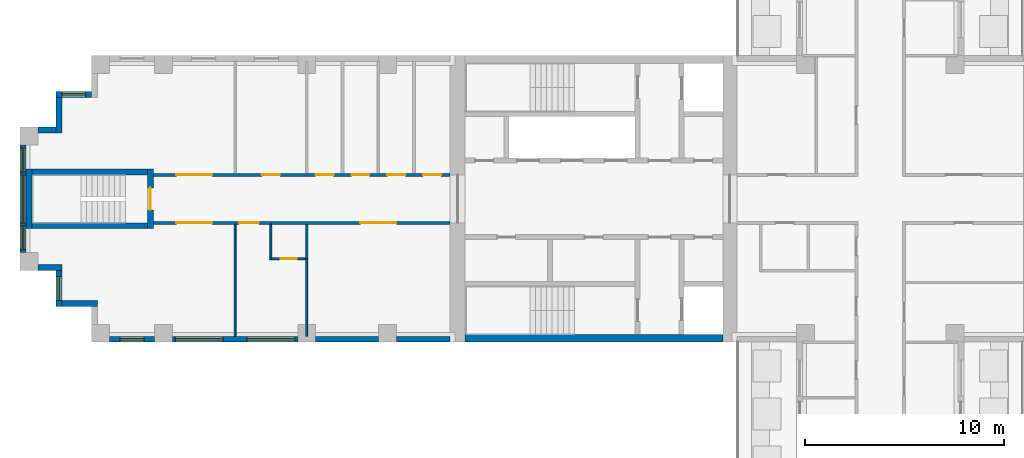
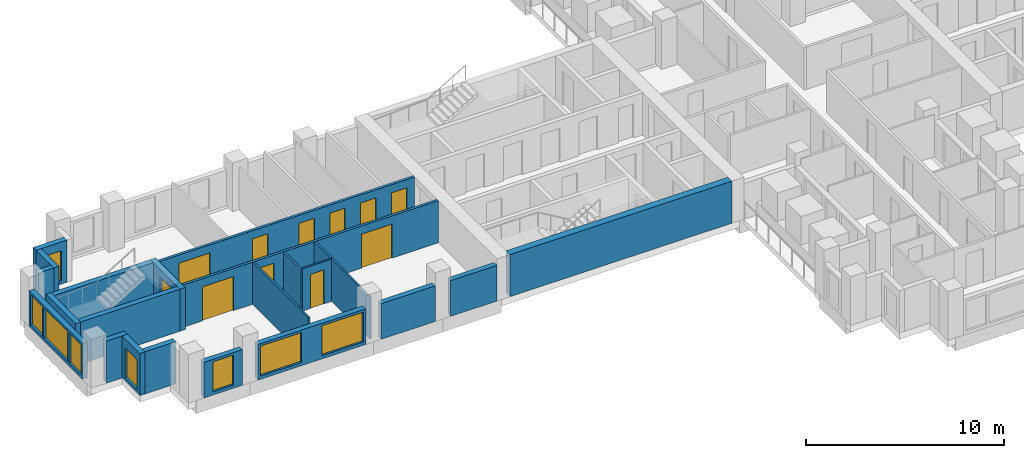
# One storey, part 2 of 11: 23 walls, 11 doors, 8 windows, 19 openings.
"""IFC4 building model written with IfcOpenShell, lengths in metres."""

from ifc_helpers import new_model, si_unit, direction, frame, frame_2d, origin, place, context, subcontext, project, spatial, rectangle, extrude, material, layer, layer_set, type_object, element, fill, save


model = new_model("IFC4")

# Units and contexts
model_context = context("Model", 3, precision=1e-05, world=origin(), true_north=direction((0.0, 1.0)))
body_context = subcontext(model_context, "Body", "Model", "MODEL_VIEW")
ifc_project = project(units=[si_unit("LENGTHUNIT", "METRE"), si_unit("AREAUNIT", "SQUARE_METRE"), si_unit("VOLUMEUNIT", "CUBIC_METRE"), si_unit("PLANEANGLEUNIT", "RADIAN"), si_unit("MASSUNIT", "GRAM", prefix="KILO")], contexts=[model_context])

# Site, building, storey
site_placement = place(None, origin())
site = spatial("IfcSite", under=ifc_project, at=site_placement, CompositionType="ELEMENT")
building_placement = place(site_placement, origin())
building = spatial("IfcBuilding", under=site, at=building_placement, Name="Fustian Cross Tower", CompositionType="ELEMENT")
storey_placement = place(building_placement, frame((0.0, 0.0, 176.699951171875)))
storey = spatial("IfcBuildingStorey", under=building, at=storey_placement, Name="L55", CompositionType="ELEMENT", Elevation=176.699951171875)

# Wall, openings, doors
ifc_material_1 = material(Name="Plasterboard on steel stud", Category="steel")
ifc_layer_1 = layer(ifc_material_1, 0.14990234375)
ifc_layer_set_1 = layer_set([ifc_layer_1], Name="Plasterboard on steel stud")
wall_type_1 = type_object("IfcWallType", Name="COMPARTMENT WALL 150 EI 60", PredefinedType="PARTITIONING", material=ifc_layer_set_1)
wall_1_placement = place(storey_placement, frame((-36.5, -1.199951171875, 0.0), z_axis=(0.0, 0.0, 1.0), x_axis=(1.0, 0.0, 0.0)))
wall_1 = element("IfcWall", 1, at=wall_1_placement, inside=storey, type_object=wall_type_1, Name="Partition 1", PredefinedType="PARTITIONING", context=body_context, shape_type="SweptSolid", body=[
    extrude(rectangle(XDim=14.89990234375, YDim=0.14990234375, at=frame_2d((7.449951171875, 0.0))), origin(), (0.0, 0.0, 1.0), 2.60009765625),
])
opening_1_placement = place(wall_1_placement, frame((10.39990234375, 0.0, 0.0)))
opening_1 = element("IfcOpeningElement", 2, at=opening_1_placement, cuts=wall_1, Name="Opening D25021", PredefinedType="OPENING", context=body_context, shape_type="SweptSolid", body=[
    extrude(rectangle(XDim=1.800048828125, YDim=2.10009765625, at=frame_2d((0.89990234375, 1.050048828125))), frame((0.0, 0.0849609375, 0.0), z_axis=(0.0, -1.0, 0.0), x_axis=(1.0, 0.0, 0.0)), (0.0, 0.0, 1.0), 0.169921875),
])
opening_2_placement = place(wall_1_placement, frame((4.300048828125, 0.0, 0.0)))
opening_2 = element("IfcOpeningElement", 3, at=opening_2_placement, cuts=wall_1, Name="Opening D25023", PredefinedType="OPENING", context=body_context, shape_type="SweptSolid", body=[
    extrude(rectangle(XDim=1.0, YDim=2.10009765625, at=frame_2d((0.5, 1.050048828125))), frame((0.0, 0.0849609375, 0.0), z_axis=(0.0, -1.0, 0.0), x_axis=(1.0, 0.0, 0.0)), (0.0, 0.0, 1.0), 0.169921875),
])
opening_3_placement = place(wall_1_placement, frame((1.14990234375, 0.0, 0.0)))
opening_3 = element("IfcOpeningElement", 4, at=opening_3_placement, cuts=wall_1, Name="Opening D25024", PredefinedType="OPENING", context=body_context, shape_type="SweptSolid", body=[
    extrude(rectangle(XDim=1.800048828125, YDim=2.10009765625, at=frame_2d((0.89990234375, 1.050048828125))), frame((0.0, 0.0849609375, 0.0), z_axis=(0.0, -1.0, 0.0), x_axis=(1.0, 0.0, 0.0)), (0.0, 0.0, 1.0), 0.169921875),
])
ifc_material_2 = material(Name="Timber fire door set", Category="wood")
door_type_1 = type_object("IfcDoorType", Name="FIRE DOUBLE DOOR 1800 FD30S", OperationType="DOUBLE_DOOR_DOUBLE_SWING", PredefinedType="DOOR", material=ifc_material_2)
door_1_placement = place(opening_1_placement, origin())
door_1 = element("IfcDoor", 5, at=door_1_placement, inside=storey, type_object=door_type_1, Name="Door D25021", OperationType="DOUBLE_DOOR_DOUBLE_SWING", OverallHeight=2.10009765625, OverallWidth=1.800048828125, PredefinedType="DOOR", context=body_context, shape_type="SweptSolid", body=[
    extrude(rectangle(XDim=1.800048828125, YDim=2.10009765625, at=frame_2d((0.89990234375, 1.050048828125))), frame((0.0, 0.02490234375, 0.0), z_axis=(0.0, -1.0, 0.0), x_axis=(1.0, 0.0, 0.0)), (0.0, 0.0, 1.0), 0.050048828125),
])
fill(opening_1, door_1)
door_2_placement = place(opening_3_placement, origin())
door_2 = element("IfcDoor", 6, at=door_2_placement, inside=storey, type_object=door_type_1, Name="Door D25024", OperationType="DOUBLE_DOOR_DOUBLE_SWING", OverallHeight=2.10009765625, OverallWidth=1.800048828125, PredefinedType="DOOR", context=body_context, shape_type="SweptSolid", body=[
    extrude(rectangle(XDim=1.800048828125, YDim=2.10009765625, at=frame_2d((0.89990234375, 1.050048828125))), frame((0.0, 0.02490234375, 0.0), z_axis=(0.0, -1.0, 0.0), x_axis=(1.0, 0.0, 0.0)), (0.0, 0.0, 1.0), 0.050048828125),
])
fill(opening_3, door_2)
ifc_material_3 = material(Name="Timber fire door set", Category="wood")
door_type_2 = type_object("IfcDoorType", Name="FIRE SWING DOOR 1000 FD30S", OperationType="SINGLE_SWING_LEFT", PredefinedType="DOOR", material=ifc_material_3)
door_3_placement = place(opening_2_placement, frame((1.0, 0.0, 0.0), z_axis=(0.0, 0.0, 1.0), x_axis=(-1.0, 0.0, 0.0)))
door_3 = element("IfcDoor", 7, at=door_3_placement, inside=storey, type_object=door_type_2, Name="Door D25023", OperationType="SINGLE_SWING_RIGHT", OverallHeight=2.10009765625, OverallWidth=1.0, PredefinedType="DOOR", context=body_context, shape_type="SweptSolid", body=[
    extrude(rectangle(XDim=1.0, YDim=2.10009765625, at=frame_2d((0.5, 1.050048828125))), frame((0.0, 0.02490234375, 0.0), z_axis=(0.0, -1.0, 0.0), x_axis=(1.0, 0.0, 0.0)), (0.0, 0.0, 1.0), 0.050048828125),
])
fill(opening_2, door_3)

wall_2_placement = place(storey_placement, frame((-36.5, 1.199951171875, 0.0), z_axis=(0.0, 0.0, 1.0), x_axis=(1.0, 0.0, 0.0)))
wall_2 = element("IfcWall", 8, at=wall_2_placement, inside=storey, type_object=wall_type_1, Name="Partition 2", PredefinedType="PARTITIONING", context=body_context, shape_type="SweptSolid", body=[
    extrude(rectangle(XDim=14.89990234375, YDim=0.14990234375, at=frame_2d((7.449951171875, 0.0))), origin(), (0.0, 0.0, 1.0), 2.60009765625),
])
opening_4_placement = place(wall_2_placement, frame((13.550048828125, 0.0, 0.0)))
opening_4 = element("IfcOpeningElement", 9, at=opening_4_placement, cuts=wall_2, Name="Opening D25025", PredefinedType="OPENING", context=body_context, shape_type="SweptSolid", body=[
    extrude(rectangle(XDim=0.89990234375, YDim=2.10009765625, at=frame_2d((0.449951171875, 1.050048828125))), frame((0.0, 0.0849609375, 0.0), z_axis=(0.0, -1.0, 0.0), x_axis=(1.0, 0.0, 0.0)), (0.0, 0.0, 1.0), 0.169921875),
])
opening_5_placement = place(wall_2_placement, frame((11.75, 0.0, 0.0)))
opening_5 = element("IfcOpeningElement", 10, at=opening_5_placement, cuts=wall_2, Name="Opening D25026", PredefinedType="OPENING", context=body_context, shape_type="SweptSolid", body=[
    extrude(rectangle(XDim=0.89990234375, YDim=2.10009765625, at=frame_2d((0.449951171875, 1.050048828125))), frame((0.0, 0.0849609375, 0.0), z_axis=(0.0, -1.0, 0.0), x_axis=(1.0, 0.0, 0.0)), (0.0, 0.0, 1.0), 0.169921875),
])
opening_6_placement = place(wall_2_placement, frame((9.949951171875, 0.0, 0.0)))
opening_6 = element("IfcOpeningElement", 11, at=opening_6_placement, cuts=wall_2, Name="Opening D25027", PredefinedType="OPENING", context=body_context, shape_type="SweptSolid", body=[
    extrude(rectangle(XDim=0.89990234375, YDim=2.10009765625, at=frame_2d((0.449951171875, 1.050048828125))), frame((0.0, 0.0849609375, 0.0), z_axis=(0.0, -1.0, 0.0), x_axis=(1.0, 0.0, 0.0)), (0.0, 0.0, 1.0), 0.169921875),
])
opening_7_placement = place(wall_2_placement, frame((8.14990234375, 0.0, 0.0)))
opening_7 = element("IfcOpeningElement", 12, at=opening_7_placement, cuts=wall_2, Name="Opening D25028", PredefinedType="OPENING", context=body_context, shape_type="SweptSolid", body=[
    extrude(rectangle(XDim=0.89990234375, YDim=2.10009765625, at=frame_2d((0.449951171875, 1.050048828125))), frame((0.0, 0.0849609375, 0.0), z_axis=(0.0, -1.0, 0.0), x_axis=(1.0, 0.0, 0.0)), (0.0, 0.0, 1.0), 0.169921875),
])
opening_8_placement = place(wall_2_placement, frame((5.449951171875, 0.0, 0.0)))
opening_8 = element("IfcOpeningElement", 13, at=opening_8_placement, cuts=wall_2, Name="Opening D25029", PredefinedType="OPENING", context=body_context, shape_type="SweptSolid", body=[
    extrude(rectangle(XDim=0.89990234375, YDim=2.10009765625, at=frame_2d((0.449951171875, 1.050048828125))), frame((0.0, 0.0849609375, 0.0), z_axis=(0.0, -1.0, 0.0), x_axis=(1.0, 0.0, 0.0)), (0.0, 0.0, 1.0), 0.169921875),
])
opening_9_placement = place(wall_2_placement, frame((1.14990234375, 0.0, 0.0)))
opening_9 = element("IfcOpeningElement", 14, at=opening_9_placement, cuts=wall_2, Name="Opening D25030", PredefinedType="OPENING", context=body_context, shape_type="SweptSolid", body=[
    extrude(rectangle(XDim=1.800048828125, YDim=2.10009765625, at=frame_2d((0.89990234375, 1.050048828125))), frame((0.0, 0.0849609375, 0.0), z_axis=(0.0, -1.0, 0.0), x_axis=(1.0, 0.0, 0.0)), (0.0, 0.0, 1.0), 0.169921875),
])
door_4_placement = place(opening_9_placement, frame((1.800048828125, 0.0, 0.0), z_axis=(0.0, 0.0, 1.0), x_axis=(-1.0, 0.0, 0.0)))
door_4 = element("IfcDoor", 15, at=door_4_placement, inside=storey, type_object=door_type_1, Name="Door D25030", OperationType="DOUBLE_DOOR_DOUBLE_SWING", OverallHeight=2.10009765625, OverallWidth=1.800048828125, PredefinedType="DOOR", context=body_context, shape_type="SweptSolid", body=[
    extrude(rectangle(XDim=1.800048828125, YDim=2.10009765625, at=frame_2d((0.89990234375, 1.050048828125))), frame((0.0, 0.02490234375, 0.0), z_axis=(0.0, -1.0, 0.0), x_axis=(1.0, 0.0, 0.0)), (0.0, 0.0, 1.0), 0.050048828125),
])
fill(opening_9, door_4)
ifc_material_4 = material(Name="Timber fire door set", Category="wood")
door_type_3 = type_object("IfcDoorType", Name="FIRE SWING DOOR 900 FD30S", OperationType="SINGLE_SWING_LEFT", PredefinedType="DOOR", material=ifc_material_4)
door_5_placement = place(opening_4_placement, frame((0.89990234375, 0.0, 0.0), z_axis=(0.0, 0.0, 1.0), x_axis=(-1.0, 0.0, 0.0)))
door_5 = element("IfcDoor", 16, at=door_5_placement, inside=storey, type_object=door_type_3, Name="Door D25025", OperationType="SINGLE_SWING_LEFT", OverallHeight=2.10009765625, OverallWidth=0.89990234375, PredefinedType="DOOR", context=body_context, shape_type="SweptSolid", body=[
    extrude(rectangle(XDim=0.89990234375, YDim=2.10009765625, at=frame_2d((0.449951171875, 1.050048828125))), frame((0.0, 0.02490234375, 0.0), z_axis=(0.0, -1.0, 0.0), x_axis=(1.0, 0.0, 0.0)), (0.0, 0.0, 1.0), 0.050048828125),
])
fill(opening_4, door_5)
door_6_placement = place(opening_5_placement, origin())
door_6 = element("IfcDoor", 17, at=door_6_placement, inside=storey, type_object=door_type_3, Name="Door D25026", OperationType="SINGLE_SWING_RIGHT", OverallHeight=2.10009765625, OverallWidth=0.89990234375, PredefinedType="DOOR", context=body_context, shape_type="SweptSolid", body=[
    extrude(rectangle(XDim=0.89990234375, YDim=2.10009765625, at=frame_2d((0.449951171875, 1.050048828125))), frame((0.0, 0.02490234375, 0.0), z_axis=(0.0, -1.0, 0.0), x_axis=(1.0, 0.0, 0.0)), (0.0, 0.0, 1.0), 0.050048828125),
])
fill(opening_5, door_6)
door_7_placement = place(opening_6_placement, origin())
door_7 = element("IfcDoor", 18, at=door_7_placement, inside=storey, type_object=door_type_3, Name="Door D25027", OperationType="SINGLE_SWING_RIGHT", OverallHeight=2.10009765625, OverallWidth=0.89990234375, PredefinedType="DOOR", context=body_context, shape_type="SweptSolid", body=[
    extrude(rectangle(XDim=0.89990234375, YDim=2.10009765625, at=frame_2d((0.449951171875, 1.050048828125))), frame((0.0, 0.02490234375, 0.0), z_axis=(0.0, -1.0, 0.0), x_axis=(1.0, 0.0, 0.0)), (0.0, 0.0, 1.0), 0.050048828125),
])
fill(opening_6, door_7)
door_8_placement = place(opening_7_placement, origin())
door_8 = element("IfcDoor", 19, at=door_8_placement, inside=storey, type_object=door_type_3, Name="Door D25028", OperationType="SINGLE_SWING_RIGHT", OverallHeight=2.10009765625, OverallWidth=0.89990234375, PredefinedType="DOOR", context=body_context, shape_type="SweptSolid", body=[
    extrude(rectangle(XDim=0.89990234375, YDim=2.10009765625, at=frame_2d((0.449951171875, 1.050048828125))), frame((0.0, 0.02490234375, 0.0), z_axis=(0.0, -1.0, 0.0), x_axis=(1.0, 0.0, 0.0)), (0.0, 0.0, 1.0), 0.050048828125),
])
fill(opening_7, door_8)
door_9_placement = place(opening_8_placement, origin())
door_9 = element("IfcDoor", 20, at=door_9_placement, inside=storey, type_object=door_type_3, Name="Door D25029", OperationType="SINGLE_SWING_LEFT", OverallHeight=2.10009765625, OverallWidth=0.89990234375, PredefinedType="DOOR", context=body_context, shape_type="SweptSolid", body=[
    extrude(rectangle(XDim=0.89990234375, YDim=2.10009765625, at=frame_2d((0.449951171875, 1.050048828125))), frame((0.0, 0.02490234375, 0.0), z_axis=(0.0, -1.0, 0.0), x_axis=(1.0, 0.0, 0.0)), (0.0, 0.0, 1.0), 0.050048828125),
])
fill(opening_8, door_9)

# Walls
ifc_material_5 = material(Name="Concrete C50/60", Category="concrete")
ifc_layer_2 = layer(ifc_material_5, 0.39990234375)
ifc_layer_set_2 = layer_set([ifc_layer_2], Name="Concrete C50/60")
wall_type_2 = type_object("IfcWallType", Name="CORE FACADE WALL 400 C50/60", PredefinedType="SHEAR", material=ifc_layer_set_2)
wall_3_placement = place(storey_placement, frame((-7.89990234375, -7.0, 0.0), z_axis=(0.0, 0.0, 1.0), x_axis=(-1.0, 0.0, 0.0)))
element("IfcWall", 21, at=wall_3_placement, inside=storey, type_object=wall_type_2, Name="Core facade wall", PredefinedType="SHEAR", context=body_context, shape_type="SweptSolid", body=[
    extrude(rectangle(XDim=12.9501953125, YDim=0.39990234375, at=frame_2d((6.47509765625, 0.0))), origin(), (0.0, 0.0, 1.0), 2.60009765625),
])
ifc_material_6 = material(Name="Plasterboard on steel stud", Category="steel")
ifc_layer_3 = layer(ifc_material_6, 0.10009765625)
ifc_layer_set_3 = layer_set([ifc_layer_3], Name="Plasterboard on steel stud")
wall_type_3 = type_object("IfcWallType", Name="PARTITION 100 STUD", PredefinedType="PARTITIONING", material=ifc_layer_set_3)
wall_4_placement = place(storey_placement, frame((-32.39990234375, -6.89990234375, 0.0), z_axis=(0.0, 0.0, 1.0), x_axis=(0.0, 1.0, 0.0)))
element("IfcWall", 22, at=wall_4_placement, inside=storey, type_object=wall_type_3, Name="Partition 3", PredefinedType="PARTITIONING", context=body_context, shape_type="SweptSolid", body=[
    extrude(rectangle(XDim=5.625, YDim=0.10009765625, at=frame_2d((2.8125, 0.0))), origin(), (0.0, 0.0, 1.0), 2.60009765625),
])
wall_5_placement = place(storey_placement, frame((-30.60009765625, -3.050048828125, 0.0), z_axis=(0.0, 0.0, 1.0), x_axis=(0.0, 1.0, 0.0)))
element("IfcWall", 23, at=wall_5_placement, inside=storey, type_object=wall_type_3, Name="Partition 5", PredefinedType="PARTITIONING", context=body_context, shape_type="SweptSolid", body=[
    extrude(rectangle(XDim=1.775146484375, YDim=0.10009765625, at=frame_2d((0.8876953125, 0.0))), origin(), (0.0, 0.0, 1.0), 2.60009765625),
])

# Wall, opening, door
wall_6_placement = place(storey_placement, frame((-30.550048828125, -3.0, 0.0), z_axis=(0.0, 0.0, 1.0), x_axis=(1.0, 0.0, 0.0)))
wall_6 = element("IfcWall", 24, at=wall_6_placement, inside=storey, type_object=wall_type_3, Name="Partition 6", PredefinedType="PARTITIONING", context=body_context, shape_type="SweptSolid", body=[
    extrude(rectangle(XDim=1.6875, YDim=0.10009765625, at=frame_2d((0.84375, 0.0))), origin(), (0.0, 0.0, 1.0), 2.60009765625),
])
opening_10_placement = place(wall_6_placement, frame((0.449951171875, 0.0, 0.0)))
opening_10 = element("IfcOpeningElement", 25, at=opening_10_placement, cuts=wall_6, Name="Opening D25022", PredefinedType="OPENING", context=body_context, shape_type="SweptSolid", body=[
    extrude(rectangle(XDim=0.800048828125, YDim=2.10009765625, at=frame_2d((0.39990234375, 1.050048828125))), frame((0.0, 0.06005859375, 0.0), z_axis=(0.0, -1.0, 0.0), x_axis=(1.0, 0.0, 0.0)), (0.0, 0.0, 1.0), 0.1201171875),
])
ifc_material_7 = material(Name="Painted timber", Category="wood")
door_type_4 = type_object("IfcDoorType", Name="SWING DOOR 800", OperationType="SINGLE_SWING_LEFT", PredefinedType="DOOR", material=ifc_material_7)
door_10_placement = place(opening_10_placement, origin())
door_10 = element("IfcDoor", 26, at=door_10_placement, inside=storey, type_object=door_type_4, Name="Door D25022", OperationType="SINGLE_SWING_RIGHT", OverallHeight=2.10009765625, OverallWidth=0.800048828125, PredefinedType="DOOR", context=body_context, shape_type="SweptSolid", body=[
    extrude(rectangle(XDim=0.800048828125, YDim=2.10009765625, at=frame_2d((0.39990234375, 1.050048828125))), frame((0.0, 0.02490234375, 0.0), z_axis=(0.0, -1.0, 0.0), x_axis=(1.0, 0.0, 0.0)), (0.0, 0.0, 1.0), 0.050048828125),
])
fill(opening_10, door_10)

# Wall
wall_7_placement = place(storey_placement, frame((-28.800048828125, -6.89990234375, 0.0), z_axis=(0.0, 0.0, 1.0), x_axis=(0.0, 1.0, 0.0)))
element("IfcWall", 27, at=wall_7_placement, inside=storey, type_object=wall_type_3, Name="Partition 7", PredefinedType="PARTITIONING", context=body_context, shape_type="SweptSolid", body=[
    extrude(rectangle(XDim=3.89990234375, YDim=0.10009765625, at=frame_2d((1.949951171875, 0.0))), origin(), (0.0, 0.0, 1.0), 2.60009765625),
])

# Wall, opening, door
ifc_material_8 = material(Name="Concrete C50/60", Category="concrete")
ifc_layer_4 = layer(ifc_material_8, 0.300048828125)
ifc_layer_set_4 = layer_set([ifc_layer_4], Name="Concrete C50/60")
wall_type_4 = type_object("IfcWallType", Name="STAIR ENCLOSURE WALL 300 C50/60", PredefinedType="SHEAR", material=ifc_layer_set_4)
wall_8_placement = place(storey_placement, frame((-36.64990234375, -1.5, 0.0), z_axis=(0.0, 0.0, 1.0), x_axis=(0.0, 1.0, 0.0)))
wall_8 = element("IfcWall", 28, at=wall_8_placement, inside=storey, type_object=wall_type_4, Name="Stair enclosure wall", PredefinedType="SHEAR", context=body_context, shape_type="SweptSolid", body=[
    extrude(rectangle(XDim=3.0, YDim=0.300048828125, at=frame_2d((1.5, 0.0))), origin(), (0.0, 0.0, 1.0), 2.60009765625),
])
opening_11_placement = place(wall_8_placement, frame((0.949951171875, 0.0, 0.0)))
opening_11 = element("IfcOpeningElement", 29, at=opening_11_placement, cuts=wall_8, Name="Opening CD-22-33", PredefinedType="OPENING", context=body_context, shape_type="SweptSolid", body=[
    extrude(rectangle(XDim=1.10009765625, YDim=2.10009765625, at=frame_2d((0.550048828125, 1.050048828125))), frame((0.0, 0.159912109375, 0.0), z_axis=(0.0, -1.0, 0.0), x_axis=(1.0, 0.0, 0.0)), (0.0, 0.0, 1.0), 0.320068359375),
])
ifc_material_9 = material(Name="Steel", Category="steel")
door_type_5 = type_object("IfcDoorType", Name="FIRE DOOR FD60S 1100X2100", OperationType="SINGLE_SWING_LEFT", PredefinedType="DOOR", material=ifc_material_9)
door_11_placement = place(opening_11_placement, origin())
door_11 = element("IfcDoor", 30, at=door_11_placement, inside=storey, type_object=door_type_5, Name="Core door CD-22-33", OperationType="SINGLE_SWING_LEFT", OverallHeight=2.10009765625, OverallWidth=1.10009765625, PredefinedType="DOOR", context=body_context, shape_type="SweptSolid", body=[
    extrude(rectangle(XDim=1.10009765625, YDim=2.10009765625, at=frame_2d((0.550048828125, 1.050048828125))), frame((0.0, 0.02490234375, 0.0), z_axis=(0.0, -1.0, 0.0), x_axis=(1.0, 0.0, 0.0)), (0.0, 0.0, 1.0), 0.050048828125),
])
fill(opening_11, door_11)

# Walls
wall_9_placement = place(storey_placement, frame((-42.75, -1.5, 0.0), z_axis=(0.0, 0.0, 1.0), x_axis=(0.0, 1.0, 0.0)))
element("IfcWall", 31, at=wall_9_placement, inside=storey, type_object=wall_type_4, Name="Stair enclosure wall", PredefinedType="SHEAR", context=body_context, shape_type="SweptSolid", body=[
    extrude(rectangle(XDim=3.0, YDim=0.300048828125, at=frame_2d((1.5, 0.0))), origin(), (0.0, 0.0, 1.0), 2.60009765625),
])
for number, where, z_axis, x_axis, name in (
    (32, (-36.800048828125, -1.35009765625, 0.0), (0.0, 0.0, 1.0), (-1.0, 0.0, 0.0), "Stair enclosure wall"),
    (33, (-36.800048828125, 1.35009765625, 0.0), (0.0, 0.0, 1.0), (-1.0, 0.0, 0.0), "Stair enclosure wall"),
):
    element("IfcWall", number, at=place(storey_placement, frame(where, z_axis=z_axis, x_axis=x_axis)), inside=storey, type_object=wall_type_4, Name=name, PredefinedType="SHEAR", context=body_context, shape_type="SweptSolid", body=[
        extrude(rectangle(XDim=5.800048828125, YDim=0.300048828125, at=frame_2d((2.89990234375, 0.0))), origin(), (0.0, 0.0, 1.0), 2.60009765625),
    ])
ifc_material_10 = material(Name="Plasterboard on steel stud", Category="steel")
ifc_layer_5 = layer(ifc_material_10, 0.125)
ifc_layer_set_5 = layer_set([ifc_layer_5], Name="Plasterboard on steel stud")
wall_type_5 = type_object("IfcWallType", Name="WET WALL 125 STUD", PredefinedType="PARTITIONING", material=ifc_layer_set_5)
wall_10_placement = place(storey_placement, frame((-28.800048828125, -3.0, 0.0), z_axis=(0.0, 0.0, 1.0), x_axis=(0.0, 1.0, 0.0)))
element("IfcWall", 34, at=wall_10_placement, inside=storey, type_object=wall_type_5, Name="Partition 8", PredefinedType="PARTITIONING", context=body_context, shape_type="SweptSolid", body=[
    extrude(rectangle(XDim=1.72509765625, YDim=0.125, at=frame_2d((0.862548828125, 0.0))), origin(), (0.0, 0.0, 1.0), 2.60009765625),
])

# Wall, opening, window
ifc_material_11 = material(Name="Dark aluminium cladding on insulated backing wall", Category="aluminium")
ifc_layer_6 = layer(ifc_material_11, 0.300048828125)
ifc_layer_set_6 = layer_set([ifc_layer_6], Name="Dark aluminium cladding on insulated backing wall")
wall_type_6 = type_object("IfcWallType", Name="XW1 EXTERNAL WALL 300", PredefinedType="SOLIDWALL", material=ifc_layer_set_6)
wall_11_placement = place(storey_placement, frame((-39.60009765625, 5.25, 0.0), z_axis=(0.0, 0.0, 1.0), x_axis=(-1.0, 0.0, 0.0)))
wall_11 = element("IfcWall", 35, at=wall_11_placement, inside=storey, type_object=wall_type_6, Name="External wall", PredefinedType="SOLIDWALL", context=body_context, shape_type="SweptSolid", body=[
    extrude(rectangle(XDim=1.7998046875, YDim=0.300048828125, at=frame_2d((0.89990234375, 0.0))), origin(), (0.0, 0.0, 1.0), 2.60009765625),
])
opening_12_placement = place(wall_11_placement, frame((0.300048828125, 0.0, 0.199951171875)))
opening_12 = element("IfcOpeningElement", 36, at=opening_12_placement, cuts=wall_11, Name="Opening WN3", PredefinedType="OPENING", context=body_context, shape_type="SweptSolid", body=[
    extrude(rectangle(XDim=1.199951171875, YDim=1.85009765625, at=frame_2d((0.60009765625, 0.925048828125))), frame((0.0, 0.159912109375, 0.0), z_axis=(0.0, -1.0, 0.0), x_axis=(1.0, 0.0, 0.0)), (0.0, 0.0, 1.0), 0.320068359375),
])
ifc_material_12 = material(Name="Dark anodised aluminium and double glazing", Category="aluminium")
window_type_1 = type_object("IfcWindowType", Name="WN3 WINDOW 1200X1850", PartitioningType="SINGLE_PANEL", PredefinedType="WINDOW", material=ifc_material_12)
window_1_placement = place(opening_12_placement, origin())
window_1 = element("IfcWindow", 37, at=window_1_placement, inside=storey, type_object=window_type_1, Name="Window", OverallHeight=1.85009765625, OverallWidth=1.199951171875, PartitioningType="SINGLE_PANEL", PredefinedType="WINDOW", context=body_context, shape_type="SweptSolid", body=[
    extrude(rectangle(XDim=1.199951171875, YDim=1.85009765625, at=frame_2d((0.60009765625, 0.925048828125))), frame((0.0, 0.030029296875, 0.0), z_axis=(0.0, -1.0, 0.0), x_axis=(1.0, 0.0, 0.0)), (0.0, 0.0, 1.0), 0.06005859375),
])
fill(opening_12, window_1)

# Walls
wall_12_placement = place(storey_placement, frame((-41.25, 5.10009765625, 0.0), z_axis=(0.0, 0.0, 1.0), x_axis=(0.0, -1.0, 0.0)))
element("IfcWall", 38, at=wall_12_placement, inside=storey, type_object=wall_type_6, Name="External wall", PredefinedType="SOLIDWALL", context=body_context, shape_type="SweptSolid", body=[
    extrude(rectangle(XDim=1.800048828125, YDim=0.300048828125, at=frame_2d((0.89990234375, 0.0))), origin(), (0.0, 0.0, 1.0), 2.60009765625),
])
wall_13_placement = place(storey_placement, frame((-41.39990234375, 3.449951171875, 0.0), z_axis=(0.0, 0.0, 1.0), x_axis=(-1.0, 0.0, 0.0)))
element("IfcWall", 39, at=wall_13_placement, inside=storey, type_object=wall_type_6, Name="External wall", PredefinedType="SOLIDWALL", context=body_context, shape_type="SweptSolid", body=[
    extrude(rectangle(XDim=0.900146484375, YDim=0.300048828125, at=frame_2d((0.4501953125, 0.0))), origin(), (0.0, 0.0, 1.0), 2.60009765625),
])

# Wall, openings, windows
wall_14_placement = place(storey_placement, frame((-43.050048828125, 2.699951171875, 0.0), z_axis=(0.0, 0.0, 1.0), x_axis=(0.0, -1.0, 0.0)))
wall_14 = element("IfcWall", 40, at=wall_14_placement, inside=storey, type_object=wall_type_6, Name="External wall", PredefinedType="SOLIDWALL", context=body_context, shape_type="SweptSolid", body=[
    extrude(rectangle(XDim=5.39990234375, YDim=0.300048828125, at=frame_2d((2.699951171875, 0.0))), origin(), (0.0, 0.0, 1.0), 2.199951171875),
])
opening_13_placement = place(wall_14_placement, frame((1.5, 0.0, 0.199951171875)))
opening_13 = element("IfcOpeningElement", 41, at=opening_13_placement, cuts=wall_14, Name="Opening WN1", PredefinedType="OPENING", context=body_context, shape_type="SweptSolid", body=[
    extrude(rectangle(XDim=2.39990234375, YDim=1.85009765625, at=frame_2d((1.199951171875, 0.925048828125))), frame((0.0, 0.159912109375, 0.0), z_axis=(0.0, -1.0, 0.0), x_axis=(1.0, 0.0, 0.0)), (0.0, 0.0, 1.0), 0.320068359375),
])
opening_14_placement = place(wall_14_placement, frame((0.14990234375, 0.0, 0.199951171875)))
opening_14 = element("IfcOpeningElement", 42, at=opening_14_placement, cuts=wall_14, Name="Opening WN3", PredefinedType="OPENING", context=body_context, shape_type="SweptSolid", body=[
    extrude(rectangle(XDim=1.199951171875, YDim=1.85009765625, at=frame_2d((0.60009765625, 0.925048828125))), frame((0.0, 0.159912109375, 0.0), z_axis=(0.0, -1.0, 0.0), x_axis=(1.0, 0.0, 0.0)), (0.0, 0.0, 1.0), 0.320068359375),
])
opening_15_placement = place(wall_14_placement, frame((4.050048828125, 0.0, 0.199951171875)))
opening_15 = element("IfcOpeningElement", 43, at=opening_15_placement, cuts=wall_14, Name="Opening WN3", PredefinedType="OPENING", context=body_context, shape_type="SweptSolid", body=[
    extrude(rectangle(XDim=1.199951171875, YDim=1.85009765625, at=frame_2d((0.60009765625, 0.925048828125))), frame((0.0, 0.159912109375, 0.0), z_axis=(0.0, -1.0, 0.0), x_axis=(1.0, 0.0, 0.0)), (0.0, 0.0, 1.0), 0.320068359375),
])
ifc_material_13 = material(Name="Dark anodised aluminium and double glazing", Category="aluminium")
window_type_2 = type_object("IfcWindowType", Name="WN1 WINDOW 2400X1850", PartitioningType="SINGLE_PANEL", PredefinedType="WINDOW", material=ifc_material_13)
window_2_placement = place(opening_13_placement, origin())
window_2 = element("IfcWindow", 44, at=window_2_placement, inside=storey, type_object=window_type_2, Name="Window", OverallHeight=1.85009765625, OverallWidth=2.39990234375, PartitioningType="SINGLE_PANEL", PredefinedType="WINDOW", context=body_context, shape_type="SweptSolid", body=[
    extrude(rectangle(XDim=2.39990234375, YDim=1.85009765625, at=frame_2d((1.199951171875, 0.925048828125))), frame((0.0, 0.030029296875, 0.0), z_axis=(0.0, -1.0, 0.0), x_axis=(1.0, 0.0, 0.0)), (0.0, 0.0, 1.0), 0.06005859375),
])
fill(opening_13, window_2)
window_3_placement = place(opening_14_placement, origin())
window_3 = element("IfcWindow", 45, at=window_3_placement, inside=storey, type_object=window_type_1, Name="Window", OverallHeight=1.85009765625, OverallWidth=1.199951171875, PartitioningType="SINGLE_PANEL", PredefinedType="WINDOW", context=body_context, shape_type="SweptSolid", body=[
    extrude(rectangle(XDim=1.199951171875, YDim=1.85009765625, at=frame_2d((0.60009765625, 0.925048828125))), frame((0.0, 0.030029296875, 0.0), z_axis=(0.0, -1.0, 0.0), x_axis=(1.0, 0.0, 0.0)), (0.0, 0.0, 1.0), 0.06005859375),
])
fill(opening_14, window_3)
window_4_placement = place(opening_15_placement, origin())
window_4 = element("IfcWindow", 46, at=window_4_placement, inside=storey, type_object=window_type_1, Name="Window", OverallHeight=1.85009765625, OverallWidth=1.199951171875, PartitioningType="SINGLE_PANEL", PredefinedType="WINDOW", context=body_context, shape_type="SweptSolid", body=[
    extrude(rectangle(XDim=1.199951171875, YDim=1.85009765625, at=frame_2d((0.60009765625, 0.925048828125))), frame((0.0, 0.030029296875, 0.0), z_axis=(0.0, -1.0, 0.0), x_axis=(1.0, 0.0, 0.0)), (0.0, 0.0, 1.0), 0.06005859375),
])
fill(opening_15, window_4)

# Wall
wall_15_placement = place(storey_placement, frame((-42.300048828125, -3.449951171875, 0.0), z_axis=(0.0, 0.0, 1.0), x_axis=(1.0, 0.0, 0.0)))
element("IfcWall", 47, at=wall_15_placement, inside=storey, type_object=wall_type_6, Name="External wall", PredefinedType="SOLIDWALL", context=body_context, shape_type="SweptSolid", body=[
    extrude(rectangle(XDim=1.199951171875, YDim=0.300048828125, at=frame_2d((0.60009765625, 0.0))), origin(), (0.0, 0.0, 1.0), 2.60009765625),
])

# Wall, opening, window
wall_16_placement = place(storey_placement, frame((-41.25, -3.60009765625, 0.0), z_axis=(0.0, 0.0, 1.0), x_axis=(0.0, -1.0, 0.0)))
wall_16 = element("IfcWall", 48, at=wall_16_placement, inside=storey, type_object=wall_type_6, Name="External wall", PredefinedType="SOLIDWALL", context=body_context, shape_type="SweptSolid", body=[
    extrude(rectangle(XDim=1.7998046875, YDim=0.300048828125, at=frame_2d((0.89990234375, 0.0))), origin(), (0.0, 0.0, 1.0), 2.60009765625),
])
opening_16_placement = place(wall_16_placement, frame((0.300048828125, 0.0, 0.199951171875)))
opening_16 = element("IfcOpeningElement", 49, at=opening_16_placement, cuts=wall_16, Name="Opening WN3", PredefinedType="OPENING", context=body_context, shape_type="SweptSolid", body=[
    extrude(rectangle(XDim=1.199951171875, YDim=1.85009765625, at=frame_2d((0.60009765625, 0.925048828125))), frame((0.0, 0.159912109375, 0.0), z_axis=(0.0, -1.0, 0.0), x_axis=(1.0, 0.0, 0.0)), (0.0, 0.0, 1.0), 0.320068359375),
])
window_5_placement = place(opening_16_placement, origin())
window_5 = element("IfcWindow", 50, at=window_5_placement, inside=storey, type_object=window_type_1, Name="Window", OverallHeight=1.85009765625, OverallWidth=1.199951171875, PartitioningType="SINGLE_PANEL", PredefinedType="WINDOW", context=body_context, shape_type="SweptSolid", body=[
    extrude(rectangle(XDim=1.199951171875, YDim=1.85009765625, at=frame_2d((0.60009765625, 0.925048828125))), frame((0.0, 0.030029296875, 0.0), z_axis=(0.0, -1.0, 0.0), x_axis=(1.0, 0.0, 0.0)), (0.0, 0.0, 1.0), 0.06005859375),
])
fill(opening_16, window_5)

# Wall
wall_17_placement = place(storey_placement, frame((-41.10009765625, -5.25, 0.0), z_axis=(0.0, 0.0, 1.0), x_axis=(1.0, 0.0, 0.0)))
element("IfcWall", 51, at=wall_17_placement, inside=storey, type_object=wall_type_6, Name="External wall", PredefinedType="SOLIDWALL", context=body_context, shape_type="SweptSolid", body=[
    extrude(rectangle(XDim=1.800048828125, YDim=0.300048828125, at=frame_2d((0.89990234375, 0.0))), origin(), (0.0, 0.0, 1.0), 2.60009765625),
])

# Wall, opening, window
wall_18_placement = place(storey_placement, frame((-38.699951171875, -7.050048828125, 0.0), z_axis=(0.0, 0.0, 1.0), x_axis=(1.0, 0.0, 0.0)))
wall_18 = element("IfcWall", 52, at=wall_18_placement, inside=storey, type_object=wall_type_6, Name="External wall", PredefinedType="SOLIDWALL", context=body_context, shape_type="SweptSolid", body=[
    extrude(rectangle(XDim=2.25, YDim=0.300048828125, at=frame_2d((1.125, 0.0))), origin(), (0.0, 0.0, 1.0), 2.199951171875),
])
opening_17_placement = place(wall_18_placement, frame((0.52490234375, 0.0, 0.199951171875)))
opening_17 = element("IfcOpeningElement", 53, at=opening_17_placement, cuts=wall_18, Name="Opening WN3", PredefinedType="OPENING", context=body_context, shape_type="SweptSolid", body=[
    extrude(rectangle(XDim=1.199951171875, YDim=1.85009765625, at=frame_2d((0.60009765625, 0.925048828125))), frame((0.0, 0.159912109375, 0.0), z_axis=(0.0, -1.0, 0.0), x_axis=(1.0, 0.0, 0.0)), (0.0, 0.0, 1.0), 0.320068359375),
])
window_6_placement = place(opening_17_placement, origin())
window_6 = element("IfcWindow", 54, at=window_6_placement, inside=storey, type_object=window_type_1, Name="Window", OverallHeight=1.85009765625, OverallWidth=1.199951171875, PartitioningType="SINGLE_PANEL", PredefinedType="WINDOW", context=body_context, shape_type="SweptSolid", body=[
    extrude(rectangle(XDim=1.199951171875, YDim=1.85009765625, at=frame_2d((0.60009765625, 0.925048828125))), frame((0.0, 0.030029296875, 0.0), z_axis=(0.0, -1.0, 0.0), x_axis=(1.0, 0.0, 0.0)), (0.0, 0.0, 1.0), 0.06005859375),
])
fill(opening_17, window_6)

# Wall, openings, windows
wall_19_placement = place(storey_placement, frame((-35.550048828125, -7.050048828125, 0.0), z_axis=(0.0, 0.0, 1.0), x_axis=(1.0, 0.0, 0.0)))
wall_19 = element("IfcWall", 55, at=wall_19_placement, inside=storey, type_object=wall_type_6, Name="External wall", PredefinedType="SOLIDWALL", context=body_context, shape_type="SweptSolid", body=[
    extrude(rectangle(XDim=6.300048828125, YDim=0.300048828125, at=frame_2d((3.14990234375, 0.0))), origin(), (0.0, 0.0, 1.0), 2.199951171875),
])
opening_18_placement = place(wall_19_placement, frame((0.14990234375, 0.0, 0.199951171875)))
opening_18 = element("IfcOpeningElement", 56, at=opening_18_placement, cuts=wall_19, Name="Opening WN1", PredefinedType="OPENING", context=body_context, shape_type="SweptSolid", body=[
    extrude(rectangle(XDim=2.39990234375, YDim=1.85009765625, at=frame_2d((1.199951171875, 0.925048828125))), frame((0.0, 0.159912109375, 0.0), z_axis=(0.0, -1.0, 0.0), x_axis=(1.0, 0.0, 0.0)), (0.0, 0.0, 1.0), 0.320068359375),
])
opening_19_placement = place(wall_19_placement, frame((3.75, 0.0, 0.199951171875)))
opening_19 = element("IfcOpeningElement", 57, at=opening_19_placement, cuts=wall_19, Name="Opening WN1", PredefinedType="OPENING", context=body_context, shape_type="SweptSolid", body=[
    extrude(rectangle(XDim=2.39990234375, YDim=1.85009765625, at=frame_2d((1.199951171875, 0.925048828125))), frame((0.0, 0.159912109375, 0.0), z_axis=(0.0, -1.0, 0.0), x_axis=(1.0, 0.0, 0.0)), (0.0, 0.0, 1.0), 0.320068359375),
])
window_7_placement = place(opening_18_placement, origin())
window_7 = element("IfcWindow", 58, at=window_7_placement, inside=storey, type_object=window_type_2, Name="Window", OverallHeight=1.85009765625, OverallWidth=2.39990234375, PartitioningType="SINGLE_PANEL", PredefinedType="WINDOW", context=body_context, shape_type="SweptSolid", body=[
    extrude(rectangle(XDim=2.39990234375, YDim=1.85009765625, at=frame_2d((1.199951171875, 0.925048828125))), frame((0.0, 0.030029296875, 0.0), z_axis=(0.0, -1.0, 0.0), x_axis=(1.0, 0.0, 0.0)), (0.0, 0.0, 1.0), 0.06005859375),
])
fill(opening_18, window_7)
window_8_placement = place(opening_19_placement, origin())
window_8 = element("IfcWindow", 59, at=window_8_placement, inside=storey, type_object=window_type_2, Name="Window", OverallHeight=1.85009765625, OverallWidth=2.39990234375, PartitioningType="SINGLE_PANEL", PredefinedType="WINDOW", context=body_context, shape_type="SweptSolid", body=[
    extrude(rectangle(XDim=2.39990234375, YDim=1.85009765625, at=frame_2d((1.199951171875, 0.925048828125))), frame((0.0, 0.030029296875, 0.0), z_axis=(0.0, -1.0, 0.0), x_axis=(1.0, 0.0, 0.0)), (0.0, 0.0, 1.0), 0.06005859375),
])
fill(opening_19, window_8)

# Walls
wall_20_placement = place(storey_placement, frame((-28.35009765625, -7.050048828125, 0.0), z_axis=(0.0, 0.0, 1.0), x_axis=(1.0, 0.0, 0.0)))
element("IfcWall", 60, at=wall_20_placement, inside=storey, type_object=wall_type_6, Name="External wall", PredefinedType="SOLIDWALL", context=body_context, shape_type="SweptSolid", body=[
    extrude(rectangle(XDim=3.150146484375, YDim=0.300048828125, at=frame_2d((1.5751953125, 0.0))), origin(), (0.0, 0.0, 1.0), 2.199951171875),
])
wall_21_placement = place(storey_placement, frame((-24.300048828125, -7.050048828125, 0.0), z_axis=(0.0, 0.0, 1.0), x_axis=(1.0, 0.0, 0.0)))
element("IfcWall", 61, at=wall_21_placement, inside=storey, type_object=wall_type_6, Name="External wall", PredefinedType="SOLIDWALL", context=body_context, shape_type="SweptSolid", body=[
    extrude(rectangle(XDim=2.699951171875, YDim=0.300048828125, at=frame_2d((1.35009765625, 0.0))), origin(), (0.0, 0.0, 1.0), 2.199951171875),
])

save(model, "model.ifc")
